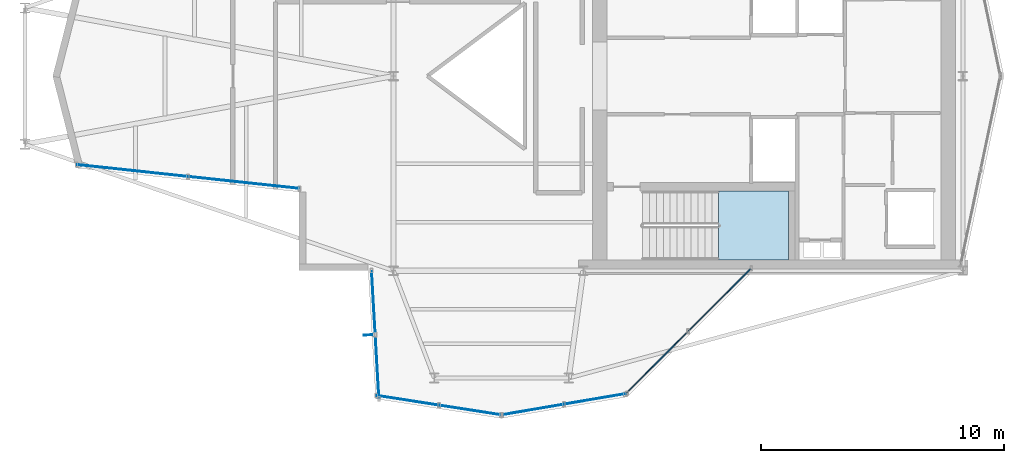
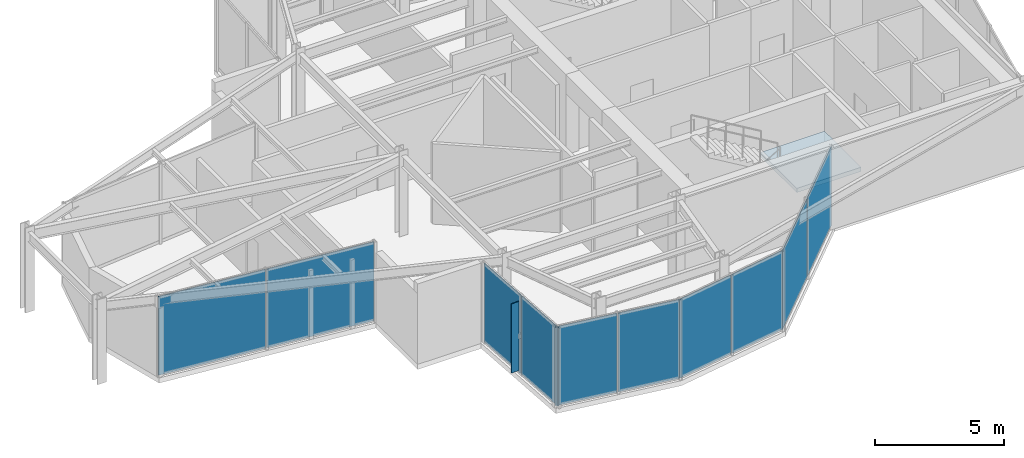
# One storey, part 8 of 13: 11 plates, 1 slab, 6 elements without a shape of their own.
"""IFC4 building model written with IfcOpenShell, lengths in metres."""

from ifc_helpers import new_model, si_unit, direction, frame, origin, origin_2d, place, context, subcontext, project, spatial, polyline, rectangle, outline, extrude, material, layer, layer_set, type_object, element, aggregate, save


model = new_model("IFC4")

# Units and contexts
model_context = context("Model", 3, precision=1e-05, world=origin(), true_north=direction((0.0, 1.0)))
body_context = subcontext(model_context, "Body", "Model", "MODEL_VIEW")
ifc_project = project(units=[si_unit("LENGTHUNIT", "METRE"), si_unit("AREAUNIT", "SQUARE_METRE"), si_unit("VOLUMEUNIT", "CUBIC_METRE"), si_unit("PLANEANGLEUNIT", "RADIAN"), si_unit("MASSUNIT", "GRAM", prefix="KILO")], contexts=[model_context])

# Site, building, storey
site_placement = place(None, origin())
site = spatial("IfcSite", under=ifc_project, at=site_placement, CompositionType="ELEMENT")
building_placement = place(site_placement, origin())
building = spatial("IfcBuilding", under=site, at=building_placement, Name="Veymaron Broadcast Tower", CompositionType="ELEMENT")
storey_placement = place(building_placement, frame((0.0, 0.0, 307.35009765625)))
storey = spatial("IfcBuildingStorey", under=building, at=storey_placement, Name="L72", CompositionType="ELEMENT", Elevation=307.35009765625)

# Curtain wall, plates
ifc_material_1 = material(Name="Anodised aluminium AA 6063-T6 and laminated low-E dark glass", Category="aluminium")
ifc_layer_1 = layer(ifc_material_1, 0.179931640625)
ifc_layer_set_1 = layer_set([ifc_layer_1], Name="Anodised aluminium AA 6063-T6 and laminated low-E dark glass")
curtain_wall_type = type_object("IfcCurtainWallType", Name="CW-SYS-06", PredefinedType="NOTDEFINED", material=ifc_layer_set_1)
curtain_wall_1_placement = place(storey_placement, origin())
curtain_wall_1 = element("IfcCurtainWall", 1, at=curtain_wall_1_placement, inside=storey, type_object=curtain_wall_type, Name="L72 dark-glass curtain wall CW-L72-E14-1", PredefinedType="NOTDEFINED")
ifc_material_2 = material(Name="Insulated dark-anodised aluminium spandrel panel 40 mm", Category="aluminium")
ifc_layer_2 = layer(ifc_material_2, 0.0400390625)
ifc_layer_set_2 = layer_set([ifc_layer_2], Name="Insulated dark-anodised aluminium spandrel panel 40 mm")
plate_type_1 = type_object("IfcPlateType", Name="CW-PNL-03", PredefinedType="CURTAIN_PANEL", material=ifc_layer_set_2)
plate_1_placement = place(storey_placement, frame((20.46337890625, 20.114013671875, 0.039794921875), z_axis=(0.0, 0.0, 1.0), x_axis=(0.994321239945, -0.106420260264, 0.0)))
plate_1 = element("IfcPlate", 2, at=plate_1_placement, type_object=plate_type_1, Name="CW-L72-E14-1 unitised curtain panel 0", PredefinedType="CURTAIN_PANEL", context=body_context, shape_type="SweptSolid", body=[
    extrude(rectangle(XDim=4.54296875, YDim=0.0400390625, at=origin_2d()), origin(), (0.0, 0.0, 1.0), 3.72998046875),
])
plate_2_placement = place(storey_placement, frame((25.0400390625, 19.624267578125, 0.039794921875), z_axis=(0.0, 0.0, 1.0), x_axis=(0.994321239945, -0.106420260264, 0.0)))
plate_2 = element("IfcPlate", 3, at=plate_2_placement, type_object=plate_type_1, Name="CW-L72-E14-1 unitised curtain panel 1", PredefinedType="CURTAIN_PANEL", context=body_context, shape_type="SweptSolid", body=[
    extrude(rectangle(XDim=4.54296875, YDim=0.0400390625, at=origin_2d()), origin(), (0.0, 0.0, 1.0), 3.72998046875),
])
aggregate(curtain_wall_1, [plate_1, plate_2])

curtain_wall_2_placement = place(storey_placement, origin())
curtain_wall_2 = element("IfcCurtainWall", 4, at=curtain_wall_2_placement, inside=storey, type_object=curtain_wall_type, Name="L72 dark-glass curtain wall CW-L72-E17-1", PredefinedType="NOTDEFINED")
plate_3_placement = place(storey_placement, frame((30.375732421875, 14.69189453125, 0.039794921875), z_axis=(0.0, 0.0, 1.0), x_axis=(0.057720845415, -0.998332762161, 0.0)))
plate_3 = element("IfcPlate", 5, at=plate_3_placement, type_object=plate_type_1, Name="CW-L72-E17-1 unitised curtain panel 0", PredefinedType="CURTAIN_PANEL", context=body_context, shape_type="SweptSolid", body=[
    extrude(rectangle(XDim=2.576904296875, YDim=0.0400390625, at=origin_2d()), origin(), (0.0, 0.0, 1.0), 3.72998046875),
])
plate_4_placement = place(storey_placement, frame((30.528076171875, 12.05908203125, 0.039794921875), z_axis=(0.0, 0.0, 1.0), x_axis=(0.057720845415, -0.998332762161, 0.0)))
plate_4 = element("IfcPlate", 6, at=plate_4_placement, type_object=plate_type_1, Name="CW-L72-E17-1 unitised curtain panel 1", PredefinedType="CURTAIN_PANEL", context=body_context, shape_type="SweptSolid", body=[
    extrude(rectangle(XDim=2.576904296875, YDim=0.0400390625, at=origin_2d()), origin(), (0.0, 0.0, 1.0), 3.72998046875),
])
aggregate(curtain_wall_2, [plate_3, plate_4])

curtain_wall_3_placement = place(storey_placement, origin())
curtain_wall_3 = element("IfcCurtainWall", 7, at=curtain_wall_3_placement, inside=storey, type_object=curtain_wall_type, Name="L72 dark-glass curtain wall CW-L72-E18-1", PredefinedType="NOTDEFINED")
plate_5_placement = place(storey_placement, frame((31.779052734375, 10.672119140625, 0.039794921875), z_axis=(0.0, 0.0, 1.0), x_axis=(0.988134743341, -0.153589482068, 0.0)))
plate_5 = element("IfcPlate", 8, at=plate_5_placement, type_object=plate_type_1, Name="CW-L72-E18-1 unitised curtain panel 0", PredefinedType="CURTAIN_PANEL", context=body_context, shape_type="SweptSolid", body=[
    extrude(rectangle(XDim=2.5576171875, YDim=0.0400390625, at=origin_2d()), origin(), (0.0, 0.0, 1.0), 3.72998046875),
])
plate_6_placement = place(storey_placement, frame((34.365478515625, 10.27001953125, 0.039794921875), z_axis=(0.0, 0.0, 1.0), x_axis=(0.988134743341, -0.153589482068, 0.0)))
plate_6 = element("IfcPlate", 9, at=plate_6_placement, type_object=plate_type_1, Name="CW-L72-E18-1 unitised curtain panel 1", PredefinedType="CURTAIN_PANEL", context=body_context, shape_type="SweptSolid", body=[
    extrude(rectangle(XDim=2.5576171875, YDim=0.0400390625, at=origin_2d()), origin(), (0.0, 0.0, 1.0), 3.72998046875),
])
aggregate(curtain_wall_3, [plate_5, plate_6])

curtain_wall_4_placement = place(storey_placement, origin())
curtain_wall_4 = element("IfcCurtainWall", 10, at=curtain_wall_4_placement, inside=storey, type_object=curtain_wall_type, Name="L72 dark-glass curtain wall CW-L72-E19-1", PredefinedType="NOTDEFINED")
plate_7_placement = place(storey_placement, frame((36.90673828125, 10.289794921875, 0.039794921875), z_axis=(0.0, 0.0, 1.0), x_axis=(0.985697587099, 0.168523787004, 0.0)))
plate_7 = element("IfcPlate", 11, at=plate_7_placement, type_object=plate_type_1, Name="CW-L72-E19-1 unitised curtain panel 0", PredefinedType="CURTAIN_PANEL", context=body_context, shape_type="SweptSolid", body=[
    extrude(rectangle(XDim=2.56396484375, YDim=0.0400390625, at=origin_2d()), origin(), (0.0, 0.0, 1.0), 3.72998046875),
])
plate_8_placement = place(storey_placement, frame((39.493408203125, 10.732177734375, 0.039794921875), z_axis=(0.0, 0.0, 1.0), x_axis=(0.985697587099, 0.168523787004, 0.0)))
plate_8 = element("IfcPlate", 12, at=plate_8_placement, type_object=plate_type_1, Name="CW-L72-E19-1 unitised curtain panel 1", PredefinedType="CURTAIN_PANEL", context=body_context, shape_type="SweptSolid", body=[
    extrude(rectangle(XDim=2.56396484375, YDim=0.0400390625, at=origin_2d()), origin(), (0.0, 0.0, 1.0), 3.72998046875),
])
aggregate(curtain_wall_4, [plate_7, plate_8])

curtain_wall_5_placement = place(storey_placement, origin())
curtain_wall_5 = element("IfcCurtainWall", 13, at=curtain_wall_5_placement, inside=storey, type_object=curtain_wall_type, Name="L72 dark-glass curtain wall CW-L72-E20-1", PredefinedType="NOTDEFINED")
plate_9_placement = place(storey_placement, frame((42.00830078125, 12.21044921875, 0.039794921875), z_axis=(0.0, 0.0, 1.0), x_axis=(0.707402911339, 0.706810526965, 0.0)))
plate_9 = element("IfcPlate", 14, at=plate_9_placement, type_object=plate_type_1, Name="CW-L72-E20-1 unitised curtain panel 0", PredefinedType="CURTAIN_PANEL", context=body_context, shape_type="SweptSolid", body=[
    extrude(rectangle(XDim=3.60791015625, YDim=0.0400390625, at=origin_2d()), origin(), (0.0, 0.0, 1.0), 3.72998046875),
])
plate_10_placement = place(storey_placement, frame((44.60302734375, 14.802734375, 0.039794921875), z_axis=(0.0, 0.0, 1.0), x_axis=(0.707402911339, 0.706810526965, 0.0)))
plate_10 = element("IfcPlate", 15, at=plate_10_placement, type_object=plate_type_1, Name="CW-L72-E20-1 unitised curtain panel 1", PredefinedType="CURTAIN_PANEL", context=body_context, shape_type="SweptSolid", body=[
    extrude(rectangle(XDim=3.60791015625, YDim=0.0400390625, at=origin_2d()), origin(), (0.0, 0.0, 1.0), 3.72998046875),
])
aggregate(curtain_wall_5, [plate_9, plate_10])

# Plate
ifc_material_3 = material(Name="Dark-anodised aluminium AA 6061-T6", Category="aluminium")
ifc_layer_3 = layer(ifc_material_3, 0.030029296875)
ifc_layer_set_3 = layer_set([ifc_layer_3], Name="Dark-anodised aluminium AA 6061-T6")
plate_type_2 = type_object("IfcPlateType", Name="FIN-CHEV-02", PredefinedType="USERDEFINED", material=ifc_layer_set_3)
plate_11_placement = place(storey_placement, frame((30.1474609375, 13.35791015625, 0.2666015625), z_axis=(0.0, 0.0, 1.0), x_axis=(-0.998332762161, -0.057720845415, 0.0)))
element("IfcPlate", 16, at=plate_11_placement, inside=storey, type_object=plate_type_2, Name="CW-L72-E17-1 chevron fin 1", ObjectType="FIN", PredefinedType="USERDEFINED", context=body_context, shape_type="SweptSolid", body=[
    extrude(rectangle(XDim=0.35009765625, YDim=0.034912109375, at=origin_2d()), origin(), (0.0, 0.0, 1.0), 3.276611328125),
])

# Stair, slab
ifc_material_4 = material(Name="Concrete C50/60", Category="concrete")
stair_type = type_object("IfcStairType", Name="STAIR-CORE-2", PredefinedType="HALF_TURN_STAIR", material=ifc_material_4)
stair_placement = place(storey_placement, origin())
stair = element("IfcStair", 17, at=stair_placement, inside=storey, type_object=stair_type, Name="L72 South protected dog-leg exit stair ST2", PredefinedType="HALF_TURN_STAIR")
ifc_layer_4 = layer(ifc_material_4, 0.199951171875)
ifc_layer_set_4 = layer_set([ifc_layer_4], Name="Concrete C50/60")
slab_type = type_object("IfcSlabType", Name="SLAB-STAIR-LDG", PredefinedType="LANDING", material=ifc_layer_set_4)
slab_placement = place(storey_placement, frame((0.0, 0.0, 1.824951171875)))
slab = element("IfcSlab", 18, at=slab_placement, type_object=slab_type, Name="ST2 landing 1", PredefinedType="LANDING", context=body_context, shape_type="SweptSolid", body=[
    extrude(outline(polyline([(44.56494140625, 16.449951171875), (47.43994140625, 16.449951171875), (47.43994140625, 19.27001953125), (44.56494140625, 19.27001953125), (44.56494140625, 16.449951171875)])), origin(), (0.0, 0.0, 1.0), 0.199951171875),
])
aggregate(stair, [slab])

save(model, "model.ifc")
